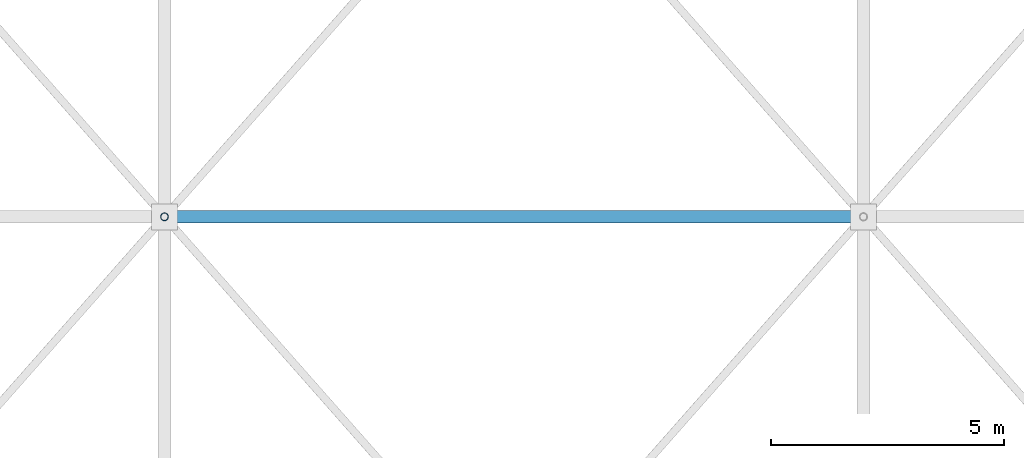
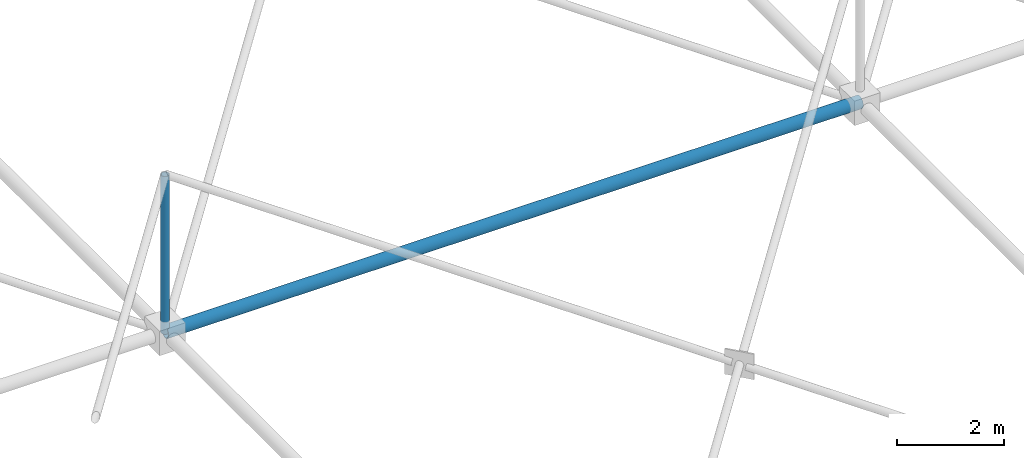
# One storey, part 99 of 224: 2 members.
"""IFC4 building model written with IfcOpenShell, lengths in metres."""

from ifc_helpers import new_model, si_unit, direction, frame, origin, origin_2d, place, context, subcontext, project, spatial, hollow_circle, extrude, material, material_profile, profile_set, type_object, element, save


model = new_model("IFC4")

# Units and contexts
model_context = context("Model", 3, precision=1e-05, world=origin(), true_north=direction((0.0, 1.0)))
body_context = subcontext(model_context, "Body", "Model", "MODEL_VIEW")
ifc_project = project(units=[si_unit("LENGTHUNIT", "METRE"), si_unit("AREAUNIT", "SQUARE_METRE"), si_unit("VOLUMEUNIT", "CUBIC_METRE"), si_unit("PLANEANGLEUNIT", "RADIAN"), si_unit("MASSUNIT", "GRAM", prefix="KILO")], contexts=[model_context])

# Site, building, storey
site_placement = place(None, origin())
site = spatial("IfcSite", under=ifc_project, at=site_placement, CompositionType="ELEMENT")
building_placement = place(site_placement, origin())
building = spatial("IfcBuilding", under=site, at=building_placement, Name="Qamarlyn Nura Convention Centre", CompositionType="ELEMENT")
storey_placement = place(building_placement, frame((0.0, 0.0, 10.800048828125)))
storey = spatial("IfcBuildingStorey", under=building, at=storey_placement, Name="L02", CompositionType="ELEMENT", Elevation=10.800048828125)

# Members
ifc_material = material(Name="Pearl-white PVDF steel ASTM A500 Grade C", Category="steel")
ifc_material_profile_1 = material_profile(ifc_material, hollow_circle(Radius=0.136474609375, WallThickness=0.012451171875, at=origin_2d()), Name="CHS273X12.5")
ifc_profile_set_1 = profile_set([ifc_material_profile_1], Name="Pearl-white PVDF steel ASTM A500 Grade C")
member_type_1 = type_object("IfcMemberType", Name="SF-BC-MAIN", PredefinedType="CHORD", material=ifc_profile_set_1)
member_1_placement = place(storey_placement, frame((60.0, 86.0, 0.800048828125), z_axis=(1.0, 0.0, 0.0), x_axis=(0.0, 1.0, 0.0)))
element("IfcMember", 1, at=member_1_placement, inside=storey, type_object=member_type_1, Name="ROOF TRUSS space frame bottom chord X6-6", PredefinedType="CHORD", context=body_context, shape_type="SweptSolid", body=[
    extrude(hollow_circle(Radius=0.136474609375, WallThickness=0.012451171875, at=origin_2d()), origin(), (0.0, 0.0, 1.0), 15.0),
])
ifc_material_profile_2 = material_profile(ifc_material, hollow_circle(Radius=0.084228515625, WallThickness=0.008056640625, at=origin_2d()), Name="CHS168.3X8")
ifc_profile_set_2 = profile_set([ifc_material_profile_2], Name="Pearl-white PVDF steel ASTM A500 Grade C")
member_type_2 = type_object("IfcMemberType", Name="SF-WEB-STD", PredefinedType="BRACE", material=ifc_profile_set_2)
member_2_placement = place(storey_placement, frame((60.0, 86.0, 0.800048828125), z_axis=(0.0, 0.0, 1.0), x_axis=(1.0, 0.0, 0.0)))
element("IfcMember", 2, at=member_2_placement, inside=storey, type_object=member_type_2, Name="ROOF TRUSS space frame vertical 6-6", PredefinedType="BRACE", context=body_context, shape_type="SweptSolid", body=[
    extrude(hollow_circle(Radius=0.084228515625, WallThickness=0.008056640625, at=origin_2d()), origin(), (0.0, 0.0, 1.0), 3.599853515625),
])

save(model, "model.ifc")
